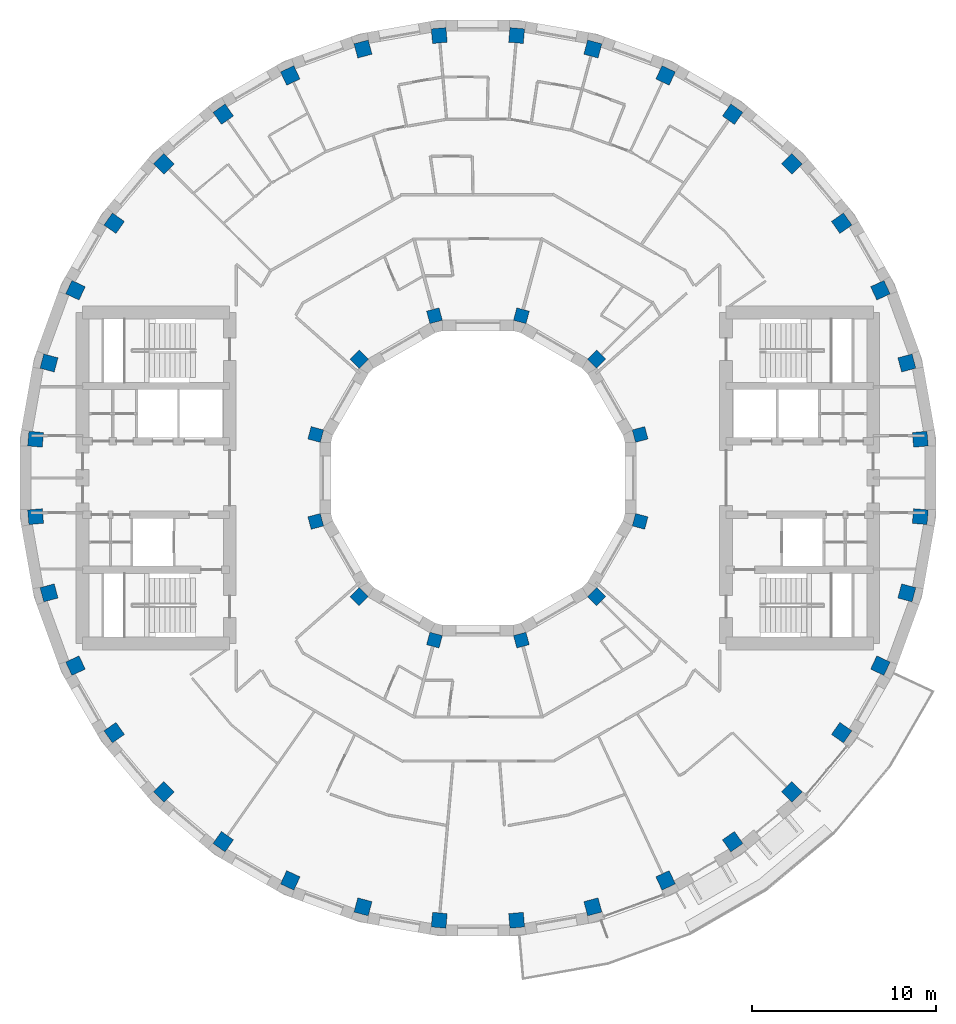
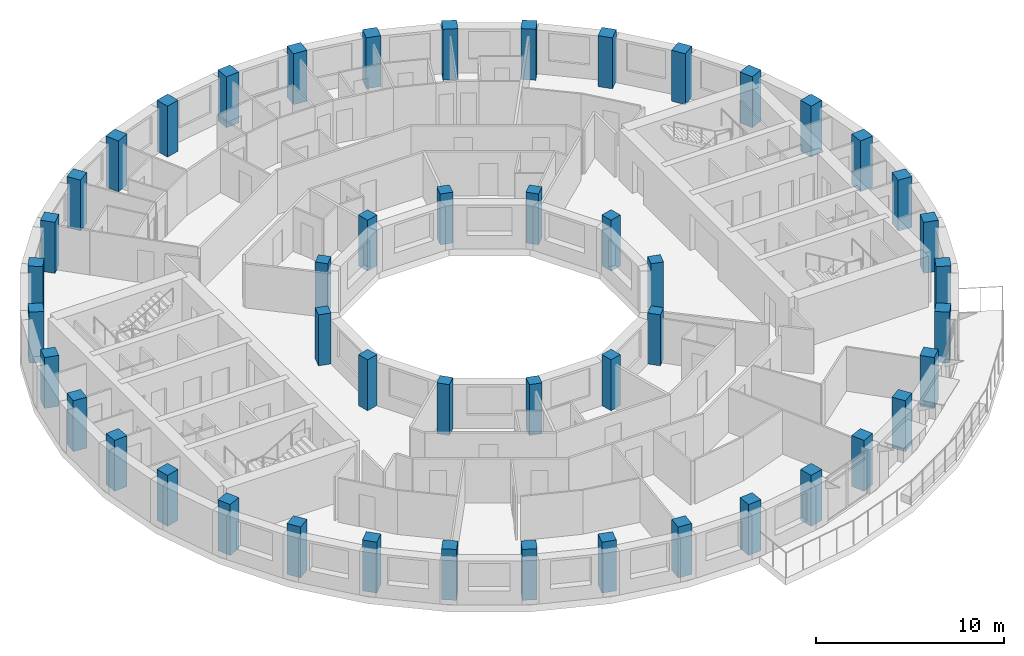
# One storey, part 1 of 15: 48 columns.
"""IFC4 building model written with IfcOpenShell, lengths in metres."""

import ifcopenshell
import ifcopenshell.guid

model = None  # the IFC model being written
_history = None  # IfcOwnerHistory: only IFC2X3 demands one
_inside = {}  # id of a spatial element -> (the spatial element, [elements in it])
_under = {}  # id of a project, library or spatial element -> (it, [spatial elements below it])
_declared = {}  # id of a project -> (the project, [libraries it declares])
_typed = {}  # id of a type object -> (the type object, [elements of that type])
_made_of = {}  # id of a material, layer set ... -> (it, [elements and type objects made of it])


def new_model(schema):
    """Start an empty IFC model of exactly this schema.

    Asked for "IFC4X3", IfcOpenShell would pick the latest addendum, in which some entities
    have other attributes; the version numbers below select the first issue.
    IFC2X3 requires an IfcOwnerHistory on every rooted entity: one is made here for all.
    """
    global model, _history
    if schema == "IFC4X3":
        model = ifcopenshell.file(schema_version=(4, 3, 0, 0))
    else:
        model = ifcopenshell.file(schema=schema)
    _inside.clear()
    _under.clear()
    _declared.clear()
    _typed.clear()
    _made_of.clear()
    _history = None
    if model.schema == "IFC2X3":
        org = make("IfcOrganization", Name="unknown")
        user = make(
            "IfcPersonAndOrganization",
            ThePerson=make("IfcPerson", FamilyName="unknown"),
            TheOrganization=org,
        )
        app = make(
            "IfcApplication",
            ApplicationDeveloper=org,
            Version="unknown",
            ApplicationFullName="unknown",
            ApplicationIdentifier="unknown",
        )
        _history = make(
            "IfcOwnerHistory",
            OwningUser=user,
            OwningApplication=app,
            ChangeAction="ADDED",
            CreationDate=0,
        )
    return model


def make(cls, **values):
    """One entity of the class cls with the attributes given. An attribute that is None is left unset."""
    return model.create_entity(
        cls, **{name: value for name, value in values.items() if value is not None}
    )


def rooted(cls, **values):
    """An entity with a GlobalId (a new one), such as an element, a storey or a relation."""
    return make(cls, GlobalId=ifcopenshell.guid.new(), OwnerHistory=_history, **values)


def si_unit(unit_type, name, prefix=None):
    """IfcSIUnit, for example si_unit("LENGTHUNIT", "METRE", prefix="MILLI")."""
    return make("IfcSIUnit", UnitType=unit_type, Prefix=prefix, Name=name)


def assignment(units):
    """IfcUnitAssignment: the units of a project."""
    return None if units is None else make("IfcUnitAssignment", Units=units)


def point(xyz):
    """IfcCartesianPoint."""
    return None if xyz is None else make("IfcCartesianPoint", Coordinates=xyz)


def direction(xyz):
    """IfcDirection."""
    return None if xyz is None else make("IfcDirection", DirectionRatios=xyz)


def frame(location, z_axis=None, x_axis=None):
    """IfcAxis2Placement3D, a coordinate frame: its origin and axes. An axis left out is left unset."""
    return make(
        "IfcAxis2Placement3D",
        Location=point(location),
        Axis=direction(z_axis),
        RefDirection=direction(x_axis),
    )


def frame_2d(location, x_axis=None):
    """IfcAxis2Placement2D, a coordinate frame in the plane: its origin and x axis."""
    return make(
        "IfcAxis2Placement2D", Location=point(location), RefDirection=direction(x_axis)
    )


def origin():
    """The frame at (0, 0, 0) with its axes left unset."""
    return frame((0.0, 0.0, 0.0))


def origin_2d():
    """The frame at (0, 0) in the plane with its x axis left unset."""
    return frame_2d((0.0, 0.0))


def place(relative_to, where):
    """IfcLocalPlacement: puts the frame where relative to a parent placement (None: the world)."""
    return make(
        "IfcLocalPlacement", PlacementRelTo=relative_to, RelativePlacement=where
    )


def context(
    kind, dimensions, precision=None, world=None, true_north=None, identifier=None
):
    """IfcGeometricRepresentationContext, for example the 3D "Model" context."""
    return make(
        "IfcGeometricRepresentationContext",
        ContextIdentifier=identifier,
        ContextType=kind,
        CoordinateSpaceDimension=dimensions,
        Precision=precision,
        WorldCoordinateSystem=world,
        TrueNorth=true_north,
    )


def subcontext(parent, identifier, kind, view, scale=None):
    """IfcGeometricRepresentationSubContext, for example "Body" below "Model"."""
    return make(
        "IfcGeometricRepresentationSubContext",
        ContextIdentifier=identifier,
        ContextType=kind,
        ParentContext=parent,
        TargetScale=scale,
        TargetView=view,
    )


def project(units=None, contexts=None):
    """IfcProject with its units and contexts."""
    return rooted(
        "IfcProject",
        Name="project",
        RepresentationContexts=contexts,
        UnitsInContext=assignment(units),
    )


def spatial(cls, under=None, at=None, **own):
    """A site, building, storey or space (cls), placed at a placement, below another one or the project."""
    s = rooted(cls, ObjectPlacement=at, **own)
    if under is not None:
        _under.setdefault(under.id(), (under, []))[1].append(s)
    return s


def profile(cls, at=None, kind="AREA", **sizes):
    """A parametric profile (cls). Its sizes go by their IFC names, for example OverallWidth=200.0."""
    return make(cls, ProfileType=kind, Position=at, **sizes)


def rectangle(**sizes):
    """IfcRectangleProfileDef."""
    return profile("IfcRectangleProfileDef", **sizes)


def extrude(swept, where, along, depth):
    """IfcExtrudedAreaSolid: the profile swept, set in the frame where, extruded along a direction by depth."""
    return make(
        "IfcExtrudedAreaSolid",
        SweptArea=swept,
        Position=where,
        ExtrudedDirection=direction(along),
        Depth=depth,
    )


def shape(context_of_items, identifier, shape_type, items):
    """IfcShapeRepresentation: the items that make up one representation, for example the "Body"."""
    return make(
        "IfcShapeRepresentation",
        ContextOfItems=context_of_items,
        RepresentationIdentifier=identifier,
        RepresentationType=shape_type,
        Items=items,
    )


def material(Name=None, Category=None):
    """IfcMaterial."""
    return make("IfcMaterial", Name=Name, Category=Category)


def material_profile(
    of_material, cross_section, Name=None, Category=None, Priority=None
):
    """IfcMaterialProfile: a cross section and its material."""
    return make(
        "IfcMaterialProfile",
        Name=Name,
        Material=of_material,
        Profile=cross_section,
        Priority=Priority,
        Category=Category,
    )


def profile_set(profiles, Name=None, composite=None):
    """IfcMaterialProfileSet."""
    return make(
        "IfcMaterialProfileSet",
        Name=Name,
        MaterialProfiles=profiles,
        CompositeProfile=composite,
    )


def made_of(thing, what):
    """Note that an element or type object is made of a material, layer set ...; save() writes the relation."""
    if what is not None:
        _made_of.setdefault(what.id(), (what, []))[1].append(thing)
    return thing


def type_object(cls, material=None, **own):
    """A type object (cls), such as IfcWallType, which elements share."""
    return made_of(rooted(cls, **own), material)


def element(
    cls,
    number,
    at=None,
    inside=None,
    cuts=None,
    type_object=None,
    material=None,
    context=None,
    identifier="Body",
    shape_type=None,
    held_by="IfcProductDefinitionShape",
    body=None,
    shapes=None,
    **own,
):
    """One element of the class cls, such as IfcWall. Its Tag is "e" and its number.

    at: its placement. inside: the storey or other place that contains it. cuts: it is an
    opening in that element (IfcRelVoidsElement). A single representation is given by context,
    identifier, shape_type and body (its items); several are given by shapes. held_by: the class
    of the entity that holds the representations. save() writes the other relations.
    """
    e = rooted(cls, Tag="e%d" % number, ObjectPlacement=at, **own)
    if body is not None:
        shapes = [shape(context, identifier, shape_type, body)]
    if shapes is not None:
        e.Representation = make(held_by, Representations=shapes)
    if inside is not None:
        _inside.setdefault(inside.id(), (inside, []))[1].append(e)
    if cuts is not None:
        rooted(
            "IfcRelVoidsElement", RelatingBuildingElement=cuts, RelatedOpeningElement=e
        )
    if type_object is not None:
        _typed.setdefault(type_object.id(), (type_object, []))[1].append(e)
    return made_of(e, material)


def aggregate(whole, parts):
    """IfcRelAggregates: a whole, such as a stair, and the parts it consists of."""
    return rooted("IfcRelAggregates", RelatingObject=whole, RelatedObjects=parts)


def save(model, path):
    """Write the relations noted so far, then the file.

    IfcRelAggregates (storeys below a building ...), IfcRelContainedInSpatialStructure (elements
    in a storey), IfcRelDefinesByType, IfcRelAssociatesMaterial and IfcRelDeclares: one each for
    every whole, place, type object, material and project.
    """
    for whole, parts in _under.values():
        aggregate(whole, parts)
    for where, things in _inside.values():
        rooted(
            "IfcRelContainedInSpatialStructure",
            RelatedElements=things,
            RelatingStructure=where,
        )
    for kind, things in _typed.values():
        rooted("IfcRelDefinesByType", RelatedObjects=things, RelatingType=kind)
    for what, things in _made_of.values():
        rooted("IfcRelAssociatesMaterial", RelatedObjects=things, RelatingMaterial=what)
    for by, libraries in _declared.values():
        rooted("IfcRelDeclares", RelatingContext=by, RelatedDefinitions=libraries)
    model.write(path)


model = new_model("IFC4")

# Units and contexts
model_context = context("Model", 3, precision=1e-05, world=origin(), true_north=direction((0.0, 1.0)))
body_context = subcontext(model_context, "Body", "Model", "MODEL_VIEW")
ifc_project = project(units=[si_unit("LENGTHUNIT", "METRE"), si_unit("AREAUNIT", "SQUARE_METRE"), si_unit("VOLUMEUNIT", "CUBIC_METRE"), si_unit("PLANEANGLEUNIT", "RADIAN"), si_unit("MASSUNIT", "GRAM", prefix="KILO")], contexts=[model_context])

# Site, building, storey
site_placement = place(None, origin())
site = spatial("IfcSite", under=ifc_project, at=site_placement, CompositionType="ELEMENT")
building_placement = place(site_placement, origin())
building = spatial("IfcBuilding", under=site, at=building_placement, Name="Saqina Gate Tower", CompositionType="ELEMENT")
storey_placement = place(building_placement, frame((0.0, 0.0, 160.800048828125)))
storey = spatial("IfcBuildingStorey", under=building, at=storey_placement, Name="L45", CompositionType="ELEMENT", Elevation=160.800048828125)

# Columns
ifc_material_1 = material(Name="Concrete C60/75", Category="concrete")
ifc_material_profile_1 = material_profile(ifc_material_1, rectangle(XDim=0.699951171875, YDim=0.699951171875, at=origin_2d()), Name="RC 700x700")
ifc_profile_set_1 = profile_set([ifc_material_profile_1], Name="Concrete C60/75")
column_type_1 = type_object("IfcColumnType", Name="STR-COL-IN-C", PredefinedType="COLUMN", material=ifc_profile_set_1)
for number, where, z_axis, x_axis, name in (
    (1, (8.821044921875, 2.363525390625, 0.0), (0.0, 0.0, 1.0), (0.965925826289, 0.258819045103, 0.0), "L45-ICL01"),
    (2, (6.45751953125, 6.45751953125, 0.0), (0.0, 0.0, 1.0), (0.707106781187, 0.707106781187, 0.0), "L45-ICL02"),
    (3, (2.363525390625, 8.821044921875, 0.0), (0.0, 0.0, 1.0), (0.258819045103, 0.965925826289, 0.0), "L45-ICL03"),
    (4, (-2.363525390625, 8.821044921875, 0.0), (0.0, 0.0, 1.0), (-0.258819045103, 0.965925826289, 0.0), "L45-ICL04"),
    (5, (-6.45751953125, 6.45751953125, 0.0), (0.0, 0.0, 1.0), (-0.707106781187, 0.707106781187, 0.0), "L45-ICL05"),
    (6, (-8.821044921875, 2.363525390625, 0.0), (0.0, 0.0, 1.0), (-0.965925826289, 0.258819045103, 0.0), "L45-ICL06"),
    (7, (-8.821044921875, -2.363525390625, 0.0), (0.0, 0.0, 1.0), (-0.965925826289, -0.258819045103, 0.0), "L45-ICL07"),
    (8, (-6.45751953125, -6.45751953125, 0.0), (0.0, 0.0, 1.0), (-0.707106781187, -0.707106781187, 0.0), "L45-ICL08"),
    (9, (-2.363525390625, -8.821044921875, 0.0), (0.0, 0.0, 1.0), (-0.258819045103, -0.965925826289, 0.0), "L45-ICL09"),
    (10, (2.363525390625, -8.821044921875, 0.0), (0.0, 0.0, 1.0), (0.258819045103, -0.965925826289, 0.0), "L45-ICL10"),
    (11, (6.45751953125, -6.45751953125, 0.0), (0.0, 0.0, 1.0), (0.707106781187, -0.707106781187, 0.0), "L45-ICL11"),
    (12, (8.821044921875, -2.363525390625, 0.0), (0.0, 0.0, 1.0), (0.965925826289, -0.258819045103, 0.0), "L45-ICL12"),
):
    element("IfcColumn", number, at=place(storey_placement, frame(where, z_axis=z_axis, x_axis=x_axis)), inside=storey, type_object=column_type_1, Name=name, PredefinedType="COLUMN", context=body_context, shape_type="SweptSolid", body=[
        extrude(rectangle(XDim=0.699951171875, YDim=0.699951171875, at=origin_2d()), origin(), (0.0, 0.0, 1.0), 3.300048828125),
    ])
ifc_material_2 = material(Name="Concrete C60/75", Category="concrete")
ifc_material_profile_2 = material_profile(ifc_material_2, rectangle(XDim=0.800048828125, YDim=0.800048828125, at=origin_2d()), Name="RC 800x800")
ifc_profile_set_2 = profile_set([ifc_material_profile_2], Name="Concrete C60/75")
column_type_2 = type_object("IfcColumnType", Name="STR-COL-OUT-C", PredefinedType="COLUMN", material=ifc_profile_set_2)
for number, where, z_axis, x_axis, name in (
    (13, (24.05810546875, 2.104736328125, 0.0), (0.0, 0.0, 1.0), (0.996194698092, 0.087155742748, 0.0), "L45-COL01"),
    (14, (23.3271484375, 6.25048828125, 0.0), (0.0, 0.0, 1.0), (0.965925826289, 0.258819045103, 0.0), "L45-COL02"),
    (15, (21.887451171875, 10.206298828125, 0.0), (0.0, 0.0, 1.0), (0.906307787037, 0.422618261741, 0.0), "L45-COL03"),
    (16, (19.782470703125, 13.851806640625, 0.0), (0.0, 0.0, 1.0), (0.819152044289, 0.573576436351, 0.0), "L45-COL04"),
    (17, (17.07666015625, 17.07666015625, 0.0), (0.0, 0.0, 1.0), (0.707106781187, 0.707106781187, 0.0), "L45-COL05"),
    (18, (13.851806640625, 19.782470703125, 0.0), (0.0, 0.0, 1.0), (0.573576436351, 0.819152044289, 0.0), "L45-COL06"),
    (19, (10.206298828125, 21.887451171875, 0.0), (0.0, 0.0, 1.0), (0.422618261741, 0.906307787037, 0.0), "L45-COL07"),
    (20, (6.25048828125, 23.3271484375, 0.0), (0.0, 0.0, 1.0), (0.258819045103, 0.965925826289, 0.0), "L45-COL08"),
    (21, (2.104736328125, 24.05810546875, 0.0), (0.0, 0.0, 1.0), (0.087155742748, 0.996194698092, 0.0), "L45-COL09"),
    (22, (-2.104736328125, 24.05810546875, 0.0), (0.0, 0.0, 1.0), (-0.087155742748, 0.996194698092, 0.0), "L45-COL10"),
    (23, (-6.25048828125, 23.3271484375, 0.0), (0.0, 0.0, 1.0), (-0.258819045103, 0.965925826289, 0.0), "L45-COL11"),
    (24, (-10.206298828125, 21.887451171875, 0.0), (0.0, 0.0, 1.0), (-0.422618261741, 0.906307787037, 0.0), "L45-COL12"),
    (25, (-13.851806640625, 19.782470703125, 0.0), (0.0, 0.0, 1.0), (-0.573576436351, 0.819152044289, 0.0), "L45-COL13"),
    (26, (-17.07666015625, 17.07666015625, 0.0), (0.0, 0.0, 1.0), (-0.707106781187, 0.707106781187, 0.0), "L45-COL14"),
    (27, (-19.782470703125, 13.851806640625, 0.0), (0.0, 0.0, 1.0), (-0.819152044289, 0.573576436351, 0.0), "L45-COL15"),
    (28, (-21.887451171875, 10.206298828125, 0.0), (0.0, 0.0, 1.0), (-0.906307787037, 0.422618261741, 0.0), "L45-COL16"),
    (29, (-23.3271484375, 6.25048828125, 0.0), (0.0, 0.0, 1.0), (-0.965925826289, 0.258819045103, 0.0), "L45-COL17"),
    (30, (-24.05810546875, 2.104736328125, 0.0), (0.0, 0.0, 1.0), (-0.996194698092, 0.087155742748, 0.0), "L45-COL18"),
    (31, (-24.05810546875, -2.104736328125, 0.0), (0.0, 0.0, 1.0), (-0.996194698092, -0.087155742748, 0.0), "L45-COL19"),
    (32, (-23.3271484375, -6.25048828125, 0.0), (0.0, 0.0, 1.0), (-0.965925826289, -0.258819045103, 0.0), "L45-COL20"),
    (33, (-21.887451171875, -10.206298828125, 0.0), (0.0, 0.0, 1.0), (-0.906307787037, -0.422618261741, 0.0), "L45-COL21"),
    (34, (-19.782470703125, -13.851806640625, 0.0), (0.0, 0.0, 1.0), (-0.819152044289, -0.573576436351, 0.0), "L45-COL22"),
    (35, (-17.07666015625, -17.07666015625, 0.0), (0.0, 0.0, 1.0), (-0.707106781187, -0.707106781187, 0.0), "L45-COL23"),
    (36, (-13.851806640625, -19.782470703125, 0.0), (0.0, 0.0, 1.0), (-0.573576436351, -0.819152044289, 0.0), "L45-COL24"),
    (37, (-10.206298828125, -21.887451171875, 0.0), (0.0, 0.0, 1.0), (-0.422618261741, -0.906307787037, 0.0), "L45-COL25"),
    (38, (-6.25048828125, -23.3271484375, 0.0), (0.0, 0.0, 1.0), (-0.258819045103, -0.965925826289, 0.0), "L45-COL26"),
    (39, (-2.104736328125, -24.05810546875, 0.0), (0.0, 0.0, 1.0), (-0.087155742748, -0.996194698092, 0.0), "L45-COL27"),
    (40, (2.104736328125, -24.05810546875, 0.0), (0.0, 0.0, 1.0), (0.087155742748, -0.996194698092, 0.0), "L45-COL28"),
    (41, (6.25048828125, -23.3271484375, 0.0), (0.0, 0.0, 1.0), (0.258819045103, -0.965925826289, 0.0), "L45-COL29"),
    (42, (10.206298828125, -21.887451171875, 0.0), (0.0, 0.0, 1.0), (0.422618261741, -0.906307787037, 0.0), "L45-COL30"),
    (43, (13.851806640625, -19.782470703125, 0.0), (0.0, 0.0, 1.0), (0.573576436351, -0.819152044289, 0.0), "L45-COL31"),
    (44, (17.07666015625, -17.07666015625, 0.0), (0.0, 0.0, 1.0), (0.707106781187, -0.707106781187, 0.0), "L45-COL32"),
    (45, (19.782470703125, -13.851806640625, 0.0), (0.0, 0.0, 1.0), (0.819152044289, -0.573576436351, 0.0), "L45-COL33"),
    (46, (21.887451171875, -10.206298828125, 0.0), (0.0, 0.0, 1.0), (0.906307787037, -0.422618261741, 0.0), "L45-COL34"),
    (47, (23.3271484375, -6.25048828125, 0.0), (0.0, 0.0, 1.0), (0.965925826289, -0.258819045103, 0.0), "L45-COL35"),
    (48, (24.05810546875, -2.104736328125, 0.0), (0.0, 0.0, 1.0), (0.996194698092, -0.087155742748, 0.0), "L45-COL36"),
):
    element("IfcColumn", number, at=place(storey_placement, frame(where, z_axis=z_axis, x_axis=x_axis)), inside=storey, type_object=column_type_2, Name=name, PredefinedType="COLUMN", context=body_context, shape_type="SweptSolid", body=[
        extrude(rectangle(XDim=0.800048828125, YDim=0.800048828125, at=origin_2d()), origin(), (0.0, 0.0, 1.0), 3.300048828125),
    ])

save(model, "model.ifc")
